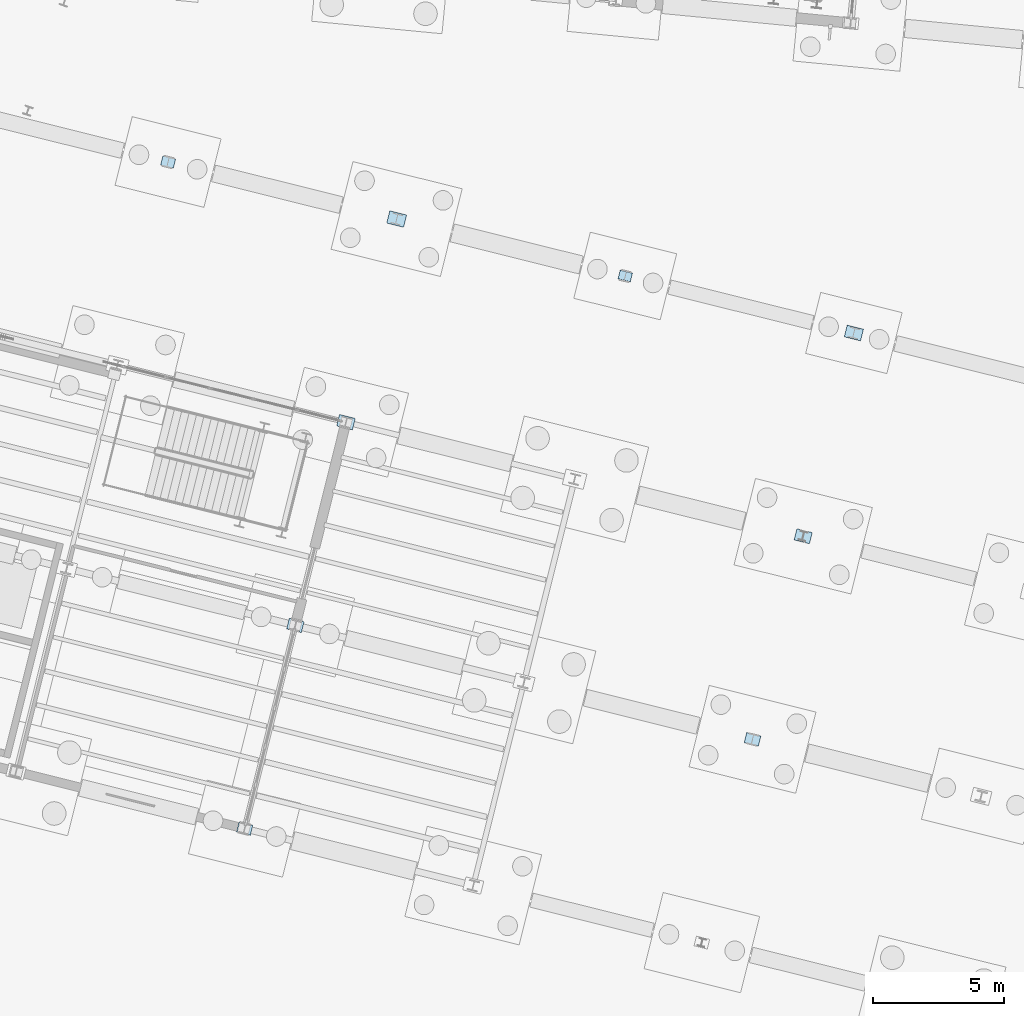
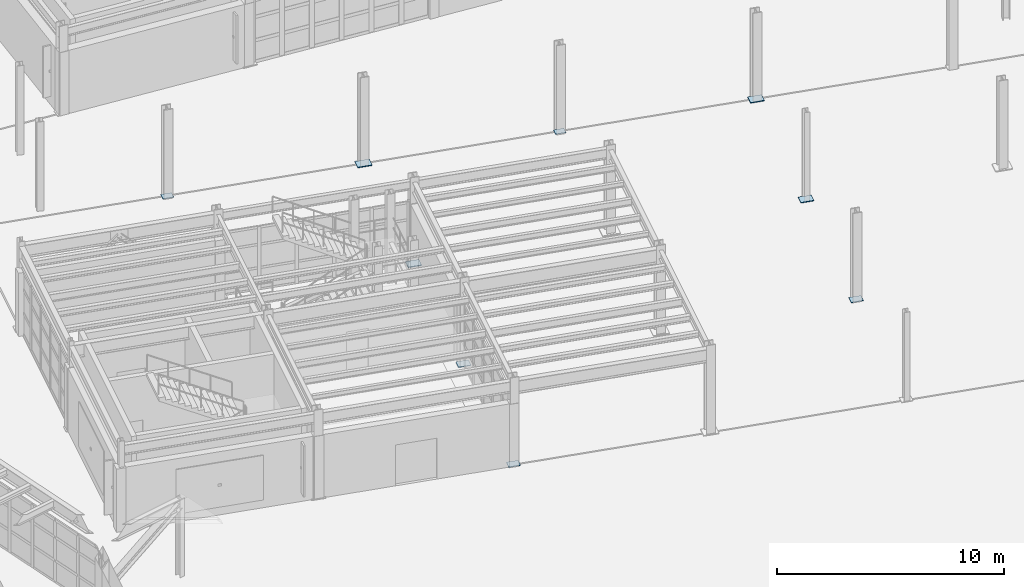
# One storey, part 75 of 108: 9 plates.
"""IFC4 building model written with IfcOpenShell, lengths in metres."""

from ifc_helpers import new_model, si_unit, direction, frame, origin, origin_2d, place, context, subcontext, project, spatial, rectangle, extrude, material, layer, layer_set, type_object, element, save


model = new_model("IFC4")

# Units and contexts
model_context = context("Model", 3, precision=1e-05, world=origin(), true_north=direction((0.0, 1.0)))
body_context = subcontext(model_context, "Body", "Model", "MODEL_VIEW")
ifc_project = project(units=[si_unit("LENGTHUNIT", "METRE"), si_unit("AREAUNIT", "SQUARE_METRE"), si_unit("VOLUMEUNIT", "CUBIC_METRE"), si_unit("PLANEANGLEUNIT", "RADIAN"), si_unit("MASSUNIT", "GRAM", prefix="KILO")], contexts=[model_context])

# Site, building, storey
site_placement = place(None, origin())
site = spatial("IfcSite", under=ifc_project, at=site_placement, CompositionType="ELEMENT")
building_placement = place(site_placement, origin())
building = spatial("IfcBuilding", under=site, at=building_placement, Name="Vireo Bluff Cable Station", CompositionType="ELEMENT")
storey_placement = place(building_placement, origin())
storey = spatial("IfcBuildingStorey", under=building, at=storey_placement, Name="L00", CompositionType="ELEMENT", Elevation=0.0)

# Plates
ifc_material = material(Name="Steel ASTM A572 Gr. 50", Category="steel")
ifc_layer_1 = layer(ifc_material, 0.02490234375, Name="Steel ASTM A572 Gr. 50")
ifc_layer_set_1 = layer_set([ifc_layer_1], Name="Steel ASTM A572 Gr. 50")
plate_type_1 = type_object("IfcPlateType", Name="BASEPLATE-480X340X25", PredefinedType="SHEET", material=ifc_layer_set_1)
plate_1_placement = place(storey_placement, frame((86.004150390625, 54.755126953125, 0.0), z_axis=(0.0, 0.0, 1.0), x_axis=(0.970295726276, -0.2419218956, 0.0)))
element("IfcPlate", 1, at=plate_1_placement, inside=storey, type_object=plate_type_1, Name="V1 column baseplate 16", PredefinedType="SHEET", context=body_context, shape_type="SweptSolid", body=[
    extrude(rectangle(XDim=0.47998046875, YDim=0.340087890625, at=origin_2d()), origin(), (0.0, 0.0, 1.0), 0.02490234375),
])
ifc_layer_2 = layer(ifc_material, 0.02587890625, Name="Steel ASTM A572 Gr. 50")
ifc_layer_set_2 = layer_set([ifc_layer_2], Name="Steel ASTM A572 Gr. 50")
plate_type_2 = type_object("IfcPlateType", Name="BASEPLATE-500X360X26", PredefinedType="SHEET", material=ifc_layer_set_2)
plate_2_placement = place(storey_placement, frame((68.538818359375, 59.10986328125, 0.0), z_axis=(0.0, 0.0, 1.0), x_axis=(0.970295726276, -0.2419218956, 0.0)))
element("IfcPlate", 2, at=plate_2_placement, inside=storey, type_object=plate_type_2, Name="V1 column baseplate 8", PredefinedType="SHEET", context=body_context, shape_type="SweptSolid", body=[
    extrude(rectangle(XDim=0.5, YDim=0.360107421875, at=origin_2d()), origin(), (0.0, 0.0, 1.0), 0.02587890625),
])
ifc_layer_3 = layer(ifc_material, 0.030029296875, Name="Steel ASTM A572 Gr. 50")
ifc_layer_set_3 = layer_set([ifc_layer_3], Name="Steel ASTM A572 Gr. 50")
plate_type_3 = type_object("IfcPlateType", Name="BASEPLATE-540X390X30", PredefinedType="SHEET", material=ifc_layer_set_3)
plate_3_placement = place(storey_placement, frame((71.46533203125, 33.6455078125, 0.0), z_axis=(0.0, 0.0, 1.0), x_axis=(0.970295726276, -0.2419218956, 0.0)))
element("IfcPlate", 3, at=plate_3_placement, inside=storey, type_object=plate_type_3, Name="V1 column baseplate 9", PredefinedType="SHEET", context=body_context, shape_type="SweptSolid", body=[
    extrude(rectangle(XDim=0.5400390625, YDim=0.389892578125, at=origin_2d()), origin(), (0.0, 0.0, 1.0), 0.030029296875),
])
ifc_layer_4 = layer(ifc_material, 0.031982421875, Name="Steel ASTM A572 Gr. 50")
ifc_layer_set_4 = layer_set([ifc_layer_4], Name="Steel ASTM A572 Gr. 50")
plate_type_4 = type_object("IfcPlateType", Name="BASEPLATE-560X400X32", PredefinedType="SHEET", material=ifc_layer_set_4)
plate_4_placement = place(storey_placement, frame((90.865966796875, 37.05322265625, 0.0), z_axis=(0.0, 0.0, 1.0), x_axis=(0.970295726276, -0.2419218956, 0.0)))
element("IfcPlate", 4, at=plate_4_placement, inside=storey, type_object=plate_type_4, Name="V1 column baseplate 18", PredefinedType="SHEET", context=body_context, shape_type="SweptSolid", body=[
    extrude(rectangle(XDim=0.56005859375, YDim=0.39990234375, at=origin_2d()), origin(), (0.0, 0.0, 1.0), 0.031982421875),
])
ifc_layer_5 = layer(ifc_material, 0.033935546875, Name="Steel ASTM A572 Gr. 50")
ifc_layer_set_5 = layer_set([ifc_layer_5], Name="Steel ASTM A572 Gr. 50")
plate_type_5 = type_object("IfcPlateType", Name="BASEPLATE-580X420X34", PredefinedType="SHEET", material=ifc_layer_set_5)
plate_5_placement = place(storey_placement, frame((73.400634765625, 41.40771484375, 0.0), z_axis=(0.0, 0.0, 1.0), x_axis=(0.970295726276, -0.2419218956, 0.0)))
element("IfcPlate", 5, at=plate_5_placement, inside=storey, type_object=plate_type_5, Name="V1 column baseplate 10", PredefinedType="SHEET", context=body_context, shape_type="SweptSolid", body=[
    extrude(rectangle(XDim=0.580078125, YDim=0.419921875, at=origin_2d()), origin(), (0.0, 0.0, 1.0), 0.033935546875),
])
ifc_layer_6 = layer(ifc_material, 0.035888671875, Name="Steel ASTM A572 Gr. 50")
ifc_layer_set_6 = layer_set([ifc_layer_6], Name="Steel ASTM A572 Gr. 50")
plate_type_6 = type_object("IfcPlateType", Name="BASEPLATE-600X440X36", PredefinedType="SHEET", material=ifc_layer_set_6)
plate_6_placement = place(storey_placement, frame((92.801513671875, 44.8154296875, 0.0), z_axis=(0.0, 0.0, 1.0), x_axis=(0.970295726276, -0.2419218956, 0.0)))
element("IfcPlate", 6, at=plate_6_placement, inside=storey, type_object=plate_type_6, Name="V1 column baseplate 19", PredefinedType="SHEET", context=body_context, shape_type="SweptSolid", body=[
    extrude(rectangle(XDim=0.60009765625, YDim=0.43994140625, at=origin_2d()), origin(), (0.0, 0.0, 1.0), 0.035888671875),
])
ifc_layer_7 = layer(ifc_material, 0.0380859375, Name="Steel ASTM A572 Gr. 50")
ifc_layer_set_7 = layer_set([ifc_layer_7], Name="Steel ASTM A572 Gr. 50")
plate_type_7 = type_object("IfcPlateType", Name="BASEPLATE-620X450X38", PredefinedType="SHEET", material=ifc_layer_set_7)
plate_7_placement = place(storey_placement, frame((75.336181640625, 49.170166015625, 0.0), z_axis=(0.0, 0.0, 1.0), x_axis=(0.970295726276, -0.2419218956, 0.0)))
element("IfcPlate", 7, at=plate_7_placement, inside=storey, type_object=plate_type_7, Name="V1 column baseplate 11", PredefinedType="SHEET", context=body_context, shape_type="SweptSolid", body=[
    extrude(rectangle(XDim=0.6201171875, YDim=0.449951171875, at=origin_2d()), origin(), (0.0, 0.0, 1.0), 0.0380859375),
])
ifc_layer_8 = layer(ifc_material, 0.0400390625, Name="Steel ASTM A572 Gr. 50")
ifc_layer_set_8 = layer_set([ifc_layer_8], Name="Steel ASTM A572 Gr. 50")
plate_type_8 = type_object("IfcPlateType", Name="BASEPLATE-640X460X40", PredefinedType="SHEET", material=ifc_layer_set_8)
plate_8_placement = place(storey_placement, frame((94.73681640625, 52.577880859375, 0.0), z_axis=(0.0, 0.0, 1.0), x_axis=(0.970295726276, -0.2419218956, 0.0)))
element("IfcPlate", 8, at=plate_8_placement, inside=storey, type_object=plate_type_8, Name="V1 column baseplate 20", PredefinedType="SHEET", context=body_context, shape_type="SweptSolid", body=[
    extrude(rectangle(XDim=0.639892578125, YDim=0.4599609375, at=origin_2d()), origin(), (0.0, 0.0, 1.0), 0.0400390625),
])
ifc_layer_9 = layer(ifc_material, 0.041015625, Name="Steel ASTM A572 Gr. 50")
ifc_layer_set_9 = layer_set([ifc_layer_9], Name="Steel ASTM A572 Gr. 50")
plate_type_9 = type_object("IfcPlateType", Name="BASEPLATE-660X480X41", PredefinedType="SHEET", material=ifc_layer_set_9)
plate_9_placement = place(storey_placement, frame((77.271484375, 56.9326171875, 0.0), z_axis=(0.0, 0.0, 1.0), x_axis=(0.970295726276, -0.2419218956, 0.0)))
element("IfcPlate", 9, at=plate_9_placement, inside=storey, type_object=plate_type_9, Name="V1 column baseplate 12", PredefinedType="SHEET", context=body_context, shape_type="SweptSolid", body=[
    extrude(rectangle(XDim=0.659912109375, YDim=0.47998046875, at=origin_2d()), origin(), (0.0, 0.0, 1.0), 0.041015625),
])

save(model, "model.ifc")
